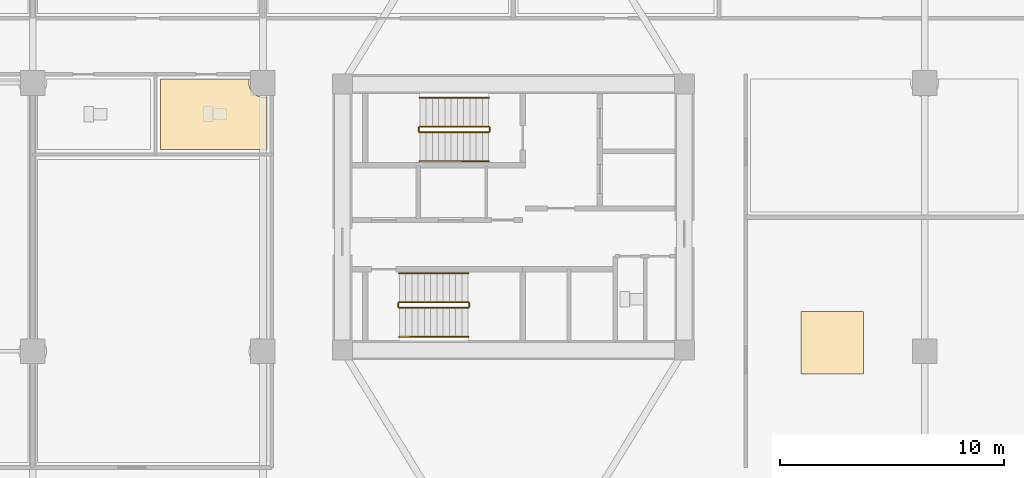
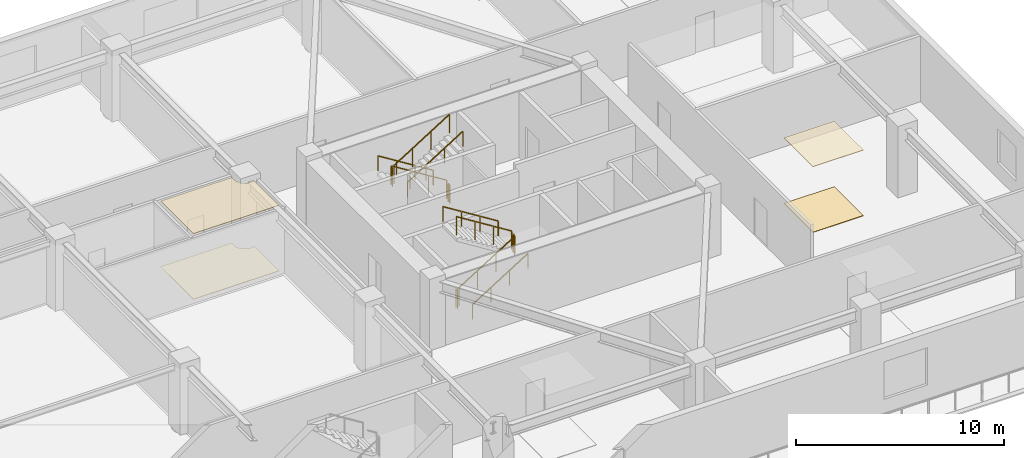
# One storey, part 20 of 23: 12 railings, 4 coverings.
"""IFC4 building model written with IfcOpenShell, lengths in metres."""

from ifc_helpers import new_model, si_unit, direction, frame, origin, origin_2d, place, context, subcontext, project, spatial, polyline, rectangle, outline, extrude, material, layer, layer_set, type_object, element, save


model = new_model("IFC4")

# Units and contexts
model_context = context("Model", 3, precision=1e-05, world=origin(), true_north=direction((0.0, 1.0)))
body_context = subcontext(model_context, "Body", "Model", "MODEL_VIEW")
ifc_project = project(units=[si_unit("LENGTHUNIT", "METRE"), si_unit("AREAUNIT", "SQUARE_METRE"), si_unit("VOLUMEUNIT", "CUBIC_METRE"), si_unit("PLANEANGLEUNIT", "RADIAN"), si_unit("MASSUNIT", "GRAM", prefix="KILO")], contexts=[model_context])

# Site, building, storey
site_placement = place(None, origin())
site = spatial("IfcSite", under=ifc_project, at=site_placement, CompositionType="ELEMENT")
building_placement = place(site_placement, origin())
building = spatial("IfcBuilding", under=site, at=building_placement, Name="Norrkilde Senior Care Towers", CompositionType="ELEMENT")
storey_placement = place(building_placement, frame((0.0, 0.0, 8.39990234375)))
storey = spatial("IfcBuildingStorey", under=building, at=storey_placement, Name="L02", CompositionType="ELEMENT", Elevation=8.39990234375)

# Coverings
ifc_material_1 = material(Name="Gypsum Acoustic Board")
ifc_layer_1 = layer(ifc_material_1, 0.030029296875)
ifc_layer_set_1 = layer_set([ifc_layer_1], Name="Gypsum Acoustic Board")
covering_type_1 = type_object("IfcCoveringType", Name="Medical Cleanable Gypsum Ceiling 30", PredefinedType="CEILING", material=ifc_layer_set_1)
covering_1_placement = place(storey_placement, frame((0.0, 0.0, 3.85009765625)))
element("IfcCovering", 1, at=covering_1_placement, inside=storey, type_object=covering_type_1, Name="L02 Suspended Ceiling 0048", PredefinedType="CEILING", context=body_context, shape_type="SweptSolid", body=[
    extrude(outline(polyline([(40.8623046875, -7.019775390625), (40.8623046875, -4.2197265625), (43.662353515625, -4.2197265625), (43.662353515625, -7.019775390625), (40.8623046875, -7.019775390625)])), origin(), (0.0, 0.0, 1.0), 0.030029296875),
])
covering_2_placement = place(storey_placement, frame((0.0, 0.0, 3.85009765625)))
element("IfcCovering", 2, at=covering_2_placement, inside=storey, type_object=covering_type_1, Name="L02 Suspended Ceiling 0054", PredefinedType="CEILING", context=body_context, shape_type="SweptSolid", body=[
    extrude(outline(polyline([(16.97998046875, 3.02001953125), (12.219970703125, 3.02001953125), (12.219970703125, 6.179931640625), (16.198486328125, 6.179931640625), (16.19140625, 6.1630859375), (16.169921875, 6.0), (16.19140625, 5.8369140625), (16.25439453125, 5.68505859375), (16.3544921875, 5.554443359375), (16.485107421875, 5.454345703125), (16.636962890625, 5.391357421875), (16.800048828125, 5.3701171875), (16.963134765625, 5.391357421875), (16.97998046875, 5.3984375), (16.97998046875, 3.02001953125)])), origin(), (0.0, 0.0, 1.0), 0.030029296875),
])
ifc_material_2 = material(Name="Slip-Resistant Porcelain Stone", Category="masonry")
ifc_layer_2 = layer(ifc_material_2, 0.02490234375)
ifc_layer_set_2 = layer_set([ifc_layer_2], Name="Slip-Resistant Porcelain Stone")
covering_type_2 = type_object("IfcCoveringType", Name="Slip-Resistant Porcelain Flooring 25", PredefinedType="FLOORING", material=ifc_layer_set_2)
covering_3_placement = place(storey_placement, origin())
element("IfcCovering", 3, at=covering_3_placement, inside=storey, type_object=covering_type_2, Name="L02 Floor Finish 0048", PredefinedType="FLOORING", context=body_context, shape_type="SweptSolid", body=[
    extrude(outline(polyline([(40.8623046875, -7.019775390625), (40.8623046875, -4.2197265625), (43.662353515625, -4.2197265625), (43.662353515625, -7.019775390625), (40.8623046875, -7.019775390625)])), origin(), (0.0, 0.0, 1.0), 0.025146484375),
])
covering_4_placement = place(storey_placement, origin())
element("IfcCovering", 4, at=covering_4_placement, inside=storey, type_object=covering_type_2, Name="L02 Floor Finish 0054", PredefinedType="FLOORING", context=body_context, shape_type="SweptSolid", body=[
    extrude(outline(polyline([(16.97998046875, 3.02001953125), (12.219970703125, 3.02001953125), (12.219970703125, 6.179931640625), (16.198486328125, 6.179931640625), (16.19140625, 6.1630859375), (16.169921875, 6.0), (16.19140625, 5.8369140625), (16.25439453125, 5.68505859375), (16.3544921875, 5.554443359375), (16.485107421875, 5.454345703125), (16.636962890625, 5.391357421875), (16.800048828125, 5.3701171875), (16.963134765625, 5.391357421875), (16.97998046875, 5.3984375), (16.97998046875, 3.02001953125)])), origin(), (0.0, 0.0, 1.0), 0.025146484375),
])

# Railings
ifc_material_3 = material(Name="Stainless Steel", Category="steel")
railing_type_1 = type_object("IfcRailingType", Name="Stair and Terrace Guardrail 1100", PredefinedType="GUARDRAIL", material=ifc_material_3)
railing_1_placement = place(storey_placement, frame((26.89990234375, 4.050048828125, 0.175048828125)))
element("IfcRailing", 5, at=railing_1_placement, inside=storey, type_object=railing_type_1, Name="L02 ST-E1 stair guard 1", PredefinedType="GUARDRAIL", context=body_context, shape_type="SweptSolid", body=[
    extrude(rectangle(XDim=0.048095703125, YDim=0.048095703125, at=origin_2d()), frame((0.0, 0.0, 1.076171875), z_axis=(-0.847979421464, 0.0, 0.530029150871), x_axis=(0.0, -1.0, 0.0)), (0.0, 0.0, 1.0), 3.632080078125),
    extrude(rectangle(XDim=0.0419921875, YDim=0.0419921875, at=origin_2d()), origin(), (0.0, 0.0, 1.0), 1.050048828125),
    extrude(rectangle(XDim=0.0419921875, YDim=0.0419921875, at=origin_2d()), frame((-1.026611328125, 0.0, 0.6416015625)), (0.0, 0.0, 1.0), 1.050048828125),
    extrude(rectangle(XDim=0.0419921875, YDim=0.0419921875, at=origin_2d()), frame((-2.05322265625, 0.0, 1.283447265625)), (0.0, 0.0, 1.0), 1.050048828125),
    extrude(rectangle(XDim=0.0419921875, YDim=0.0419921875, at=origin_2d()), frame((-3.079833984375, 0.0, 1.925048828125)), (0.0, 0.0, 1.0), 1.050048828125),
])
railing_2_placement = place(storey_placement, frame((23.77001953125, 4.0, 2.10009765625)))
element("IfcRailing", 6, at=railing_2_placement, inside=storey, type_object=railing_type_1, Name="L02 ST-E1 stair guard 2", PredefinedType="GUARDRAIL", context=body_context, shape_type="SweptSolid", body=[
    extrude(rectangle(XDim=0.048095703125, YDim=0.048095703125, at=origin_2d()), frame((0.0, 0.0, 1.076171875), z_axis=(0.0, -1.0, 0.0), x_axis=(1.0, 0.0, 0.0)), (0.0, 0.0, 1.0), 0.14990234375),
    extrude(rectangle(XDim=0.0419921875, YDim=0.0419921875, at=origin_2d()), origin(), (0.0, 0.0, 1.0), 1.050048828125),
    extrude(rectangle(XDim=0.0419921875, YDim=0.0419921875, at=origin_2d()), frame((0.0, -0.14990234375, 0.0)), (0.0, 0.0, 1.0), 1.050048828125),
])
railing_3_placement = place(storey_placement, frame((23.820068359375, 3.800048828125, 2.275146484375)))
element("IfcRailing", 7, at=railing_3_placement, inside=storey, type_object=railing_type_1, Name="L02 ST-E1 stair guard 3", PredefinedType="GUARDRAIL", context=body_context, shape_type="SweptSolid", body=[
    extrude(rectangle(XDim=0.048095703125, YDim=0.048095703125, at=origin_2d()), frame((0.0, 0.0, 1.076171875), z_axis=(0.847979421464, 0.0, 0.530029150871), x_axis=(0.0, 1.0, 0.0)), (0.0, 0.0, 1.0), 3.632080078125),
    extrude(rectangle(XDim=0.0419921875, YDim=0.0419921875, at=origin_2d()), origin(), (0.0, 0.0, 1.0), 1.050048828125),
    extrude(rectangle(XDim=0.0419921875, YDim=0.0419921875, at=origin_2d()), frame((1.026611328125, 0.0, 0.6416015625)), (0.0, 0.0, 1.0), 1.050048828125),
    extrude(rectangle(XDim=0.0419921875, YDim=0.0419921875, at=origin_2d()), frame((2.05322265625, 0.0, 1.283447265625)), (0.0, 0.0, 1.0), 1.050048828125),
    extrude(rectangle(XDim=0.0419921875, YDim=0.0419921875, at=origin_2d()), frame((3.079833984375, 0.0, 1.925048828125)), (0.0, 0.0, 1.0), 1.050048828125),
])
railing_4_placement = place(storey_placement, frame((26.949951171875, 4.0, 0.0)))
element("IfcRailing", 8, at=railing_4_placement, inside=storey, type_object=railing_type_1, Name="L02 ST-E1 stair guard 4", PredefinedType="GUARDRAIL", context=body_context, shape_type="SweptSolid", body=[
    extrude(rectangle(XDim=0.048095703125, YDim=0.048095703125, at=origin_2d()), frame((0.0, 0.0, 1.076171875), z_axis=(0.0, -1.0, 0.0), x_axis=(1.0, 0.0, 0.0)), (0.0, 0.0, 1.0), 0.14990234375),
    extrude(rectangle(XDim=0.0419921875, YDim=0.0419921875, at=origin_2d()), origin(), (0.0, 0.0, 1.0), 1.050048828125),
    extrude(rectangle(XDim=0.0419921875, YDim=0.0419921875, at=origin_2d()), frame((0.0, -0.14990234375, 0.0)), (0.0, 0.0, 1.0), 1.050048828125),
])
railing_5_placement = place(storey_placement, frame((22.89990234375, -4.050048828125, 0.175048828125)))
element("IfcRailing", 9, at=railing_5_placement, inside=storey, type_object=railing_type_1, Name="L02 ST-E2 stair guard 1", PredefinedType="GUARDRAIL", context=body_context, shape_type="SweptSolid", body=[
    extrude(rectangle(XDim=0.048095703125, YDim=0.048095703125, at=origin_2d()), frame((0.0, 0.0, 1.076171875), z_axis=(0.847998304005, 0.0, 0.529998940003), x_axis=(0.0, 1.0, 0.0)), (0.0, 0.0, 1.0), 3.632080078125),
    extrude(rectangle(XDim=0.0419921875, YDim=0.0419921875, at=origin_2d()), origin(), (0.0, 0.0, 1.0), 1.050048828125),
    extrude(rectangle(XDim=0.0419921875, YDim=0.0419921875, at=origin_2d()), frame((1.026611328125, 0.0, 0.6416015625)), (0.0, 0.0, 1.0), 1.050048828125),
    extrude(rectangle(XDim=0.0419921875, YDim=0.0419921875, at=origin_2d()), frame((2.053466796875, 0.0, 1.283447265625)), (0.0, 0.0, 1.0), 1.050048828125),
    extrude(rectangle(XDim=0.0419921875, YDim=0.0419921875, at=origin_2d()), frame((3.080078125, 0.0, 1.925048828125)), (0.0, 0.0, 1.0), 1.050048828125),
])
railing_6_placement = place(storey_placement, frame((26.030029296875, -4.0, 2.10009765625)))
element("IfcRailing", 10, at=railing_6_placement, inside=storey, type_object=railing_type_1, Name="L02 ST-E2 stair guard 2", PredefinedType="GUARDRAIL", context=body_context, shape_type="SweptSolid", body=[
    extrude(rectangle(XDim=0.048095703125, YDim=0.048095703125, at=origin_2d()), frame((0.0, 0.0, 1.076171875), z_axis=(0.0, 1.0, 0.0), x_axis=(-1.0, 0.0, 0.0)), (0.0, 0.0, 1.0), 0.14990234375),
    extrude(rectangle(XDim=0.0419921875, YDim=0.0419921875, at=origin_2d()), origin(), (0.0, 0.0, 1.0), 1.050048828125),
    extrude(rectangle(XDim=0.0419921875, YDim=0.0419921875, at=origin_2d()), frame((0.0, 0.14990234375, 0.0)), (0.0, 0.0, 1.0), 1.050048828125),
])
railing_7_placement = place(storey_placement, frame((25.97998046875, -3.800048828125, 2.275146484375)))
element("IfcRailing", 11, at=railing_7_placement, inside=storey, type_object=railing_type_1, Name="L02 ST-E2 stair guard 3", PredefinedType="GUARDRAIL", context=body_context, shape_type="SweptSolid", body=[
    extrude(rectangle(XDim=0.048095703125, YDim=0.048095703125, at=origin_2d()), frame((0.0, 0.0, 1.076171875), z_axis=(-0.847998304005, 0.0, 0.529998940003), x_axis=(0.0, -1.0, 0.0)), (0.0, 0.0, 1.0), 3.632080078125),
    extrude(rectangle(XDim=0.0419921875, YDim=0.0419921875, at=origin_2d()), origin(), (0.0, 0.0, 1.0), 1.050048828125),
    extrude(rectangle(XDim=0.0419921875, YDim=0.0419921875, at=origin_2d()), frame((-1.026611328125, 0.0, 0.6416015625)), (0.0, 0.0, 1.0), 1.050048828125),
    extrude(rectangle(XDim=0.0419921875, YDim=0.0419921875, at=origin_2d()), frame((-2.053466796875, 0.0, 1.283447265625)), (0.0, 0.0, 1.0), 1.050048828125),
    extrude(rectangle(XDim=0.0419921875, YDim=0.0419921875, at=origin_2d()), frame((-3.080078125, 0.0, 1.925048828125)), (0.0, 0.0, 1.0), 1.050048828125),
])
railing_8_placement = place(storey_placement, frame((22.85009765625, -4.0, 0.0)))
element("IfcRailing", 12, at=railing_8_placement, inside=storey, type_object=railing_type_1, Name="L02 ST-E2 stair guard 4", PredefinedType="GUARDRAIL", context=body_context, shape_type="SweptSolid", body=[
    extrude(rectangle(XDim=0.048095703125, YDim=0.048095703125, at=origin_2d()), frame((0.0, 0.0, 1.076171875), z_axis=(0.0, 1.0, 0.0), x_axis=(-1.0, 0.0, 0.0)), (0.0, 0.0, 1.0), 0.14990234375),
    extrude(rectangle(XDim=0.0419921875, YDim=0.0419921875, at=origin_2d()), origin(), (0.0, 0.0, 1.0), 1.050048828125),
    extrude(rectangle(XDim=0.0419921875, YDim=0.0419921875, at=origin_2d()), frame((0.0, 0.14990234375, 0.0)), (0.0, 0.0, 1.0), 1.050048828125),
])
ifc_material_4 = material(Name="Nordic Ash Timber", Category="wood")
railing_type_2 = type_object("IfcRailingType", Name="Wall and Stair Handrail 900", PredefinedType="HANDRAIL", material=ifc_material_4)
railing_9_placement = place(storey_placement, frame((26.89990234375, 5.35009765625, 0.175048828125)))
element("IfcRailing", 13, at=railing_9_placement, inside=storey, type_object=railing_type_2, Name="L02 ST-E1 stair handrail 1", PredefinedType="HANDRAIL", context=body_context, shape_type="SweptSolid", body=[
    extrude(rectangle(XDim=0.048095703125, YDim=0.048095703125, at=origin_2d()), frame((0.0, 0.0, 0.8759765625), z_axis=(-0.847979421464, 0.0, 0.530029150871), x_axis=(0.0, -1.0, 0.0)), (0.0, 0.0, 1.0), 3.632080078125),
    extrude(rectangle(XDim=0.0419921875, YDim=0.0419921875, at=origin_2d()), origin(), (0.0, 0.0, 1.0), 0.849853515625),
    extrude(rectangle(XDim=0.0419921875, YDim=0.0419921875, at=origin_2d()), frame((-1.026611328125, 0.0, 0.6416015625)), (0.0, 0.0, 1.0), 0.849853515625),
    extrude(rectangle(XDim=0.0419921875, YDim=0.0419921875, at=origin_2d()), frame((-2.05322265625, 0.0, 1.283447265625)), (0.0, 0.0, 1.0), 0.849853515625),
    extrude(rectangle(XDim=0.0419921875, YDim=0.0419921875, at=origin_2d()), frame((-3.079833984375, 0.0, 1.925048828125)), (0.0, 0.0, 1.0), 0.849853515625),
])
railing_10_placement = place(storey_placement, frame((23.820068359375, 2.5, 2.275146484375)))
element("IfcRailing", 14, at=railing_10_placement, inside=storey, type_object=railing_type_2, Name="L02 ST-E1 stair handrail 2", PredefinedType="HANDRAIL", context=body_context, shape_type="SweptSolid", body=[
    extrude(rectangle(XDim=0.048095703125, YDim=0.048095703125, at=origin_2d()), frame((0.0, 0.0, 0.8759765625), z_axis=(0.847979421464, 0.0, 0.530029150871), x_axis=(0.0, 1.0, 0.0)), (0.0, 0.0, 1.0), 3.632080078125),
    extrude(rectangle(XDim=0.0419921875, YDim=0.0419921875, at=origin_2d()), origin(), (0.0, 0.0, 1.0), 0.849853515625),
    extrude(rectangle(XDim=0.0419921875, YDim=0.0419921875, at=origin_2d()), frame((1.026611328125, 0.0, 0.6416015625)), (0.0, 0.0, 1.0), 0.849853515625),
    extrude(rectangle(XDim=0.0419921875, YDim=0.0419921875, at=origin_2d()), frame((2.05322265625, 0.0, 1.283447265625)), (0.0, 0.0, 1.0), 0.849853515625),
    extrude(rectangle(XDim=0.0419921875, YDim=0.0419921875, at=origin_2d()), frame((3.079833984375, 0.0, 1.925048828125)), (0.0, 0.0, 1.0), 0.849853515625),
])
railing_11_placement = place(storey_placement, frame((22.89990234375, -5.35009765625, 0.175048828125)))
element("IfcRailing", 15, at=railing_11_placement, inside=storey, type_object=railing_type_2, Name="L02 ST-E2 stair handrail 1", PredefinedType="HANDRAIL", context=body_context, shape_type="SweptSolid", body=[
    extrude(rectangle(XDim=0.048095703125, YDim=0.048095703125, at=origin_2d()), frame((0.0, 0.0, 0.8759765625), z_axis=(0.847998304005, 0.0, 0.529998940003), x_axis=(0.0, 1.0, 0.0)), (0.0, 0.0, 1.0), 3.632080078125),
    extrude(rectangle(XDim=0.0419921875, YDim=0.0419921875, at=origin_2d()), origin(), (0.0, 0.0, 1.0), 0.849853515625),
    extrude(rectangle(XDim=0.0419921875, YDim=0.0419921875, at=origin_2d()), frame((1.026611328125, 0.0, 0.6416015625)), (0.0, 0.0, 1.0), 0.849853515625),
    extrude(rectangle(XDim=0.0419921875, YDim=0.0419921875, at=origin_2d()), frame((2.053466796875, 0.0, 1.283447265625)), (0.0, 0.0, 1.0), 0.849853515625),
    extrude(rectangle(XDim=0.0419921875, YDim=0.0419921875, at=origin_2d()), frame((3.080078125, 0.0, 1.925048828125)), (0.0, 0.0, 1.0), 0.849853515625),
])
railing_12_placement = place(storey_placement, frame((25.97998046875, -2.5, 2.275146484375)))
element("IfcRailing", 16, at=railing_12_placement, inside=storey, type_object=railing_type_2, Name="L02 ST-E2 stair handrail 2", PredefinedType="HANDRAIL", context=body_context, shape_type="SweptSolid", body=[
    extrude(rectangle(XDim=0.048095703125, YDim=0.048095703125, at=origin_2d()), frame((0.0, 0.0, 0.8759765625), z_axis=(-0.847998304005, 0.0, 0.529998940003), x_axis=(0.0, -1.0, 0.0)), (0.0, 0.0, 1.0), 3.632080078125),
    extrude(rectangle(XDim=0.0419921875, YDim=0.0419921875, at=origin_2d()), origin(), (0.0, 0.0, 1.0), 0.849853515625),
    extrude(rectangle(XDim=0.0419921875, YDim=0.0419921875, at=origin_2d()), frame((-1.026611328125, 0.0, 0.6416015625)), (0.0, 0.0, 1.0), 0.849853515625),
    extrude(rectangle(XDim=0.0419921875, YDim=0.0419921875, at=origin_2d()), frame((-2.053466796875, 0.0, 1.283447265625)), (0.0, 0.0, 1.0), 0.849853515625),
    extrude(rectangle(XDim=0.0419921875, YDim=0.0419921875, at=origin_2d()), frame((-3.080078125, 0.0, 1.925048828125)), (0.0, 0.0, 1.0), 0.849853515625),
])

save(model, "model.ifc")
